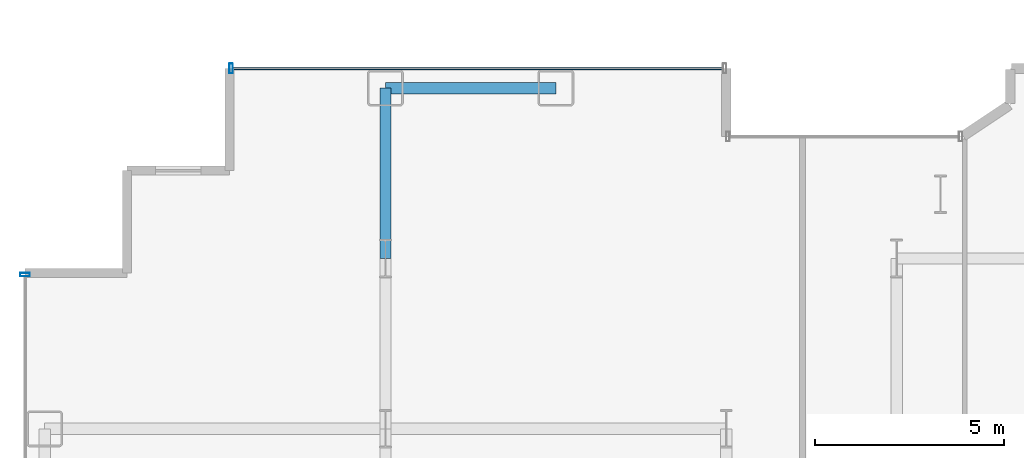
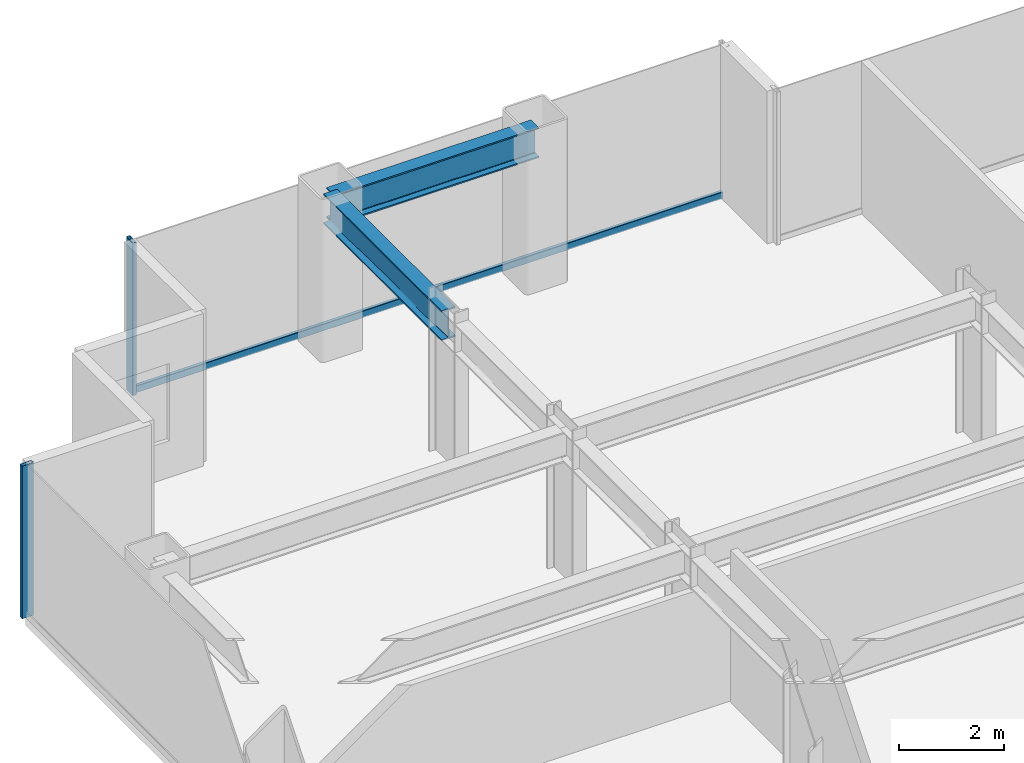
# One storey, part 9 of 26: 3 members, 2 beams, 2 elements without a shape of their own.
"""IFC4 building model written with IfcOpenShell, lengths in metres."""

from ifc_helpers import new_model, si_unit, direction, frame, origin, origin_2d, place, context, subcontext, project, spatial, hollow_rectangle, i_section, extrude, source, transform, mapped, material, layer, layer_set, material_profile, profile_set, type_object, element, aggregate, save


model = new_model("IFC4")

# Units and contexts
model_context = context("Model", 3, precision=1e-05, world=origin(), true_north=direction((0.0, 1.0)))
body_context = subcontext(model_context, "Body", "Model", "MODEL_VIEW")
ifc_project = project(units=[si_unit("LENGTHUNIT", "METRE"), si_unit("AREAUNIT", "SQUARE_METRE"), si_unit("VOLUMEUNIT", "CUBIC_METRE"), si_unit("PLANEANGLEUNIT", "RADIAN"), si_unit("MASSUNIT", "GRAM", prefix="KILO")], contexts=[model_context])

# Site, building, storey
site_placement = place(None, origin())
site = spatial("IfcSite", under=ifc_project, at=site_placement, CompositionType="ELEMENT")
building_placement = place(site_placement, origin())
building = spatial("IfcBuilding", under=site, at=building_placement, Name="Nefas-Gora Pilgrimage Tower", CompositionType="ELEMENT")
storey_placement = place(building_placement, frame((0.0, 0.0, 59.60009765625)))
storey = spatial("IfcBuildingStorey", under=building, at=storey_placement, Name="L13", CompositionType="ELEMENT", Elevation=59.60009765625)

# Beams
ifc_material_1 = material(Name="Steel S355", Category="steel")
ifc_material_profile_1 = material_profile(ifc_material_1, i_section(OverallWidth=0.300048828125, OverallDepth=0.699951171875, WebThickness=0.01708984375, FlangeThickness=0.031982421875, FilletRadius=0.027099609375, at=origin_2d()), Name="HEB 700")
ifc_profile_set_1 = profile_set([ifc_material_profile_1], Name="Steel S355")
beam_type_1 = type_object("IfcBeamType", Name="BM-SPN-HEB600", PredefinedType="SPANDREL", material=ifc_profile_set_1)
shared_shape_1 = source(origin(), body_context, "Body", "SweptSolid", [
    extrude(i_section(OverallWidth=0.300048828125, OverallDepth=0.699951171875, WebThickness=0.01708984375, FlangeThickness=0.031982421875, FilletRadius=0.027099609375, at=origin_2d()), origin(), (0.0, 0.0, 1.0), 4.5),
])
beam_1_placement = place(storey_placement, frame((-24.75, 22.5, 3.199951171875), z_axis=(1.0, 0.0, 0.0), x_axis=(0.0, 1.0, 0.0)))
element("IfcBeam", 1, at=beam_1_placement, inside=storey, type_object=beam_type_1, Name="L13 SP-01 beam", PredefinedType="SPANDREL", context=body_context, shape_type="MappedRepresentation", body=[
    mapped(shared_shape_1, transform((0.0, 0.0, 0.0), x_axis=(1.0, 0.0, 0.0), y_axis=(0.0, 1.0, 0.0), z_axis=(0.0, 0.0, 1.0), scale=1.0)),
])
ifc_material_profile_2 = material_profile(ifc_material_1, i_section(OverallWidth=0.300048828125, OverallDepth=0.699951171875, WebThickness=0.01708984375, FlangeThickness=0.031982421875, FilletRadius=0.027099609375, at=origin_2d()), Name="HEB 700")
ifc_profile_set_2 = profile_set([ifc_material_profile_2], Name="Steel S355")
beam_type_2 = type_object("IfcBeamType", Name="BM-GIR-HEB700", PredefinedType="BEAM", material=ifc_profile_set_2)
shared_shape_2 = source(origin(), body_context, "Body", "SweptSolid", [
    extrude(i_section(OverallWidth=0.300048828125, OverallDepth=0.699951171875, WebThickness=0.01708984375, FlangeThickness=0.031982421875, FilletRadius=0.027099609375, at=origin_2d()), origin(), (0.0, 0.0, 1.0), 4.5),
])
beam_2_placement = place(storey_placement, frame((-24.75, 18.0, 3.199951171875), z_axis=(0.0, 1.0, 0.0), x_axis=(-1.0, 0.0, 0.0)))
element("IfcBeam", 2, at=beam_2_placement, inside=storey, type_object=beam_type_2, Name="L13 G-02 beam", PredefinedType="BEAM", context=body_context, shape_type="MappedRepresentation", body=[
    mapped(shared_shape_2, transform((0.0, 0.0, 0.0), x_axis=(1.0, 0.0, 0.0), y_axis=(0.0, 1.0, 0.0), z_axis=(0.0, 0.0, 1.0), scale=1.0)),
])

# Curtain wall, members
ifc_material_2 = material(Name="Dark ceramic-fritted solar-control aluminium-glass curtain wall", Category="aluminium")
ifc_layer = layer(ifc_material_2, 0.219970703125)
ifc_layer_set = layer_set([ifc_layer], Name="Dark ceramic-fritted solar-control aluminium-glass curtain wall")
curtain_wall_type = type_object("IfcCurtainWallType", Name="CW-SYS-2", PredefinedType="NOTDEFINED", material=ifc_layer_set)
curtain_wall_1_placement = place(storey_placement, origin())
curtain_wall_1 = element("IfcCurtainWall", 3, at=curtain_wall_1_placement, inside=storey, type_object=curtain_wall_type, Name="L13 Unitised Curtain Wall CW2", PredefinedType="NOTDEFINED")
ifc_material_3 = material(Name="Anodised architectural aluminium", Category="aluminium")
ifc_material_profile_3 = material_profile(ifc_material_3, hollow_rectangle(XDim=0.080078125, YDim=0.159912109375, WallThickness=0.00439453125, InnerFilletRadius=0.00439453125, OuterFilletRadius=0.009033203125, at=origin_2d()), Name="ALU TRANSOM 80x160")
ifc_profile_set_3 = profile_set([ifc_material_profile_3], Name="Anodised architectural aluminium")
member_type_1 = type_object("IfcMemberType", Name="CWM-TRN-2", PredefinedType="USERDEFINED", material=ifc_profile_set_3)
shared_shape_3 = source(origin(), body_context, "Body", "SweptSolid", [
    extrude(hollow_rectangle(XDim=0.080078125, YDim=0.159912109375, WallThickness=0.00439453125, InnerFilletRadius=0.00439453125, OuterFilletRadius=0.009033203125, at=origin_2d()), origin(), (0.0, 0.0, 1.0), 12.93994140625),
])
member_1_placement = place(storey_placement, frame((-15.840087890625, 23.02001953125, 0.0498046875), z_axis=(-1.0, 0.0, 0.0), x_axis=(0.0, -1.0, 0.0)))
member_1 = element("IfcMember", 4, at=member_1_placement, type_object=member_type_1, Name="CW2 Spandrel Transom", ObjectType="TRANSOM", PredefinedType="USERDEFINED", context=body_context, shape_type="MappedRepresentation", body=[
    mapped(shared_shape_3, transform((0.0, 0.0, 0.0), x_axis=(1.0, 0.0, 0.0), y_axis=(0.0, 1.0, 0.0), z_axis=(0.0, 0.0, 1.0), scale=1.0)),
])
ifc_material_profile_4 = material_profile(ifc_material_3, hollow_rectangle(XDim=0.090087890625, YDim=0.260009765625, WallThickness=0.006103515625, InnerFilletRadius=0.006103515625, OuterFilletRadius=0.011962890625, at=origin_2d()), Name="ALU MULLION 90x260")
ifc_profile_set_4 = profile_set([ifc_material_profile_4], Name="Anodised architectural aluminium")
member_type_2 = type_object("IfcMemberType", Name="CWM-MUL-2", PredefinedType="MULLION", material=ifc_profile_set_4)
shared_shape_4 = source(origin(), body_context, "Body", "SweptSolid", [
    extrude(hollow_rectangle(XDim=0.090087890625, YDim=0.260009765625, WallThickness=0.006103515625, InnerFilletRadius=0.006103515625, OuterFilletRadius=0.011962890625, at=origin_2d()), origin(), (0.0, 0.0, 1.0), 3.5498046875),
])
member_2_placement = place(storey_placement, frame((-28.824951171875, 23.02001953125, 0.0), z_axis=(0.0, 0.0, 1.0), x_axis=(-1.0, 0.0, 0.0)))
member_2 = element("IfcMember", 5, at=member_2_placement, type_object=member_type_2, Name="CW2 Mullion 2", PredefinedType="MULLION", context=body_context, shape_type="MappedRepresentation", body=[
    mapped(shared_shape_4, transform((0.0, 0.0, 0.0), x_axis=(1.0, 0.0, 0.0), y_axis=(0.0, 1.0, 0.0), z_axis=(0.0, 0.0, 1.0), scale=1.0)),
])
aggregate(curtain_wall_1, [member_2, member_1])

# Curtain wall, member
curtain_wall_2_placement = place(storey_placement, origin())
curtain_wall_2 = element("IfcCurtainWall", 6, at=curtain_wall_2_placement, inside=storey, type_object=curtain_wall_type, Name="L13 Unitised Curtain Wall CW2", PredefinedType="NOTDEFINED")
member_3_placement = place(storey_placement, frame((-34.27001953125, 17.574951171875, 0.0), z_axis=(0.0, 0.0, 1.0), x_axis=(0.0, -1.0, 0.0)))
member_3 = element("IfcMember", 7, at=member_3_placement, type_object=member_type_2, Name="CW2 Mullion 1", PredefinedType="MULLION", context=body_context, shape_type="MappedRepresentation", body=[
    mapped(shared_shape_4, transform((0.0, 0.0, 0.0), x_axis=(1.0, 0.0, 0.0), y_axis=(0.0, 1.0, 0.0), z_axis=(0.0, 0.0, 1.0), scale=1.0)),
])
aggregate(curtain_wall_2, [member_3])

save(model, "model.ifc")
